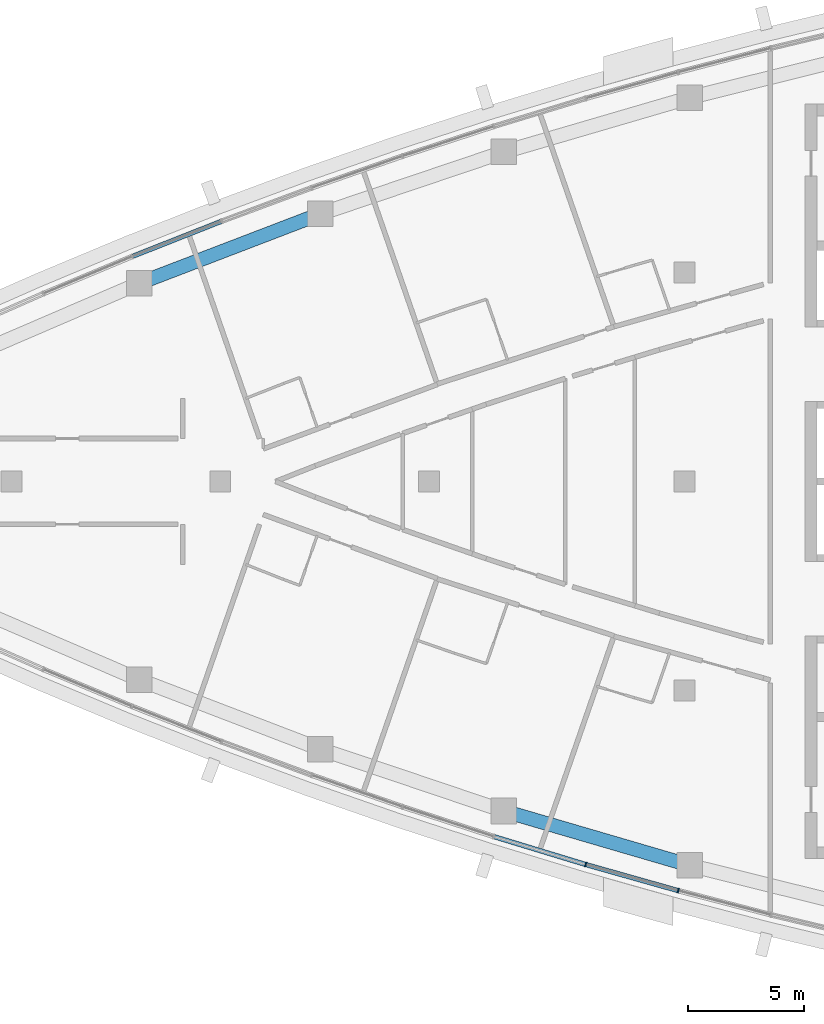
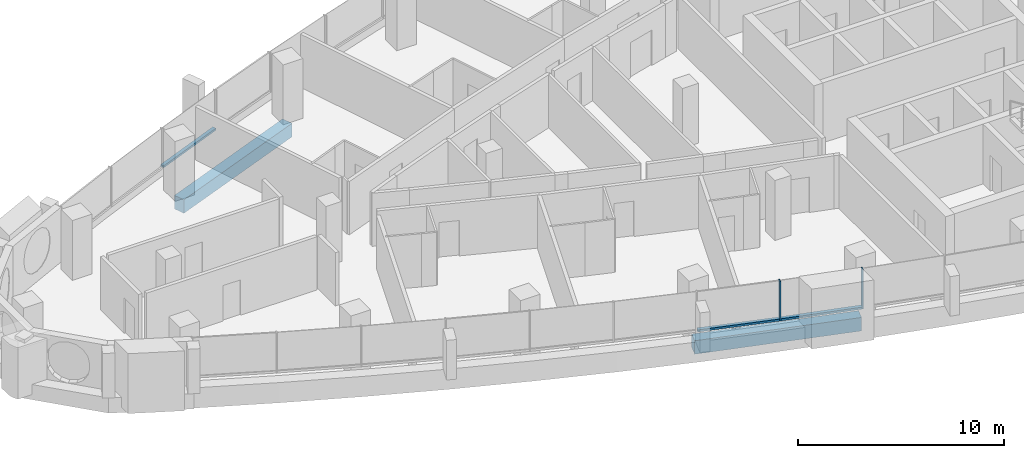
# One storey, part 3 of 14: 5 members, 2 beams, 2 elements without a shape of their own.
"""IFC4 building model written with IfcOpenShell, lengths in metres."""

import ifcopenshell
import ifcopenshell.guid

model = None  # the IFC model being written
_history = None  # IfcOwnerHistory: only IFC2X3 demands one
_inside = {}  # id of a spatial element -> (the spatial element, [elements in it])
_under = {}  # id of a project, library or spatial element -> (it, [spatial elements below it])
_declared = {}  # id of a project -> (the project, [libraries it declares])
_typed = {}  # id of a type object -> (the type object, [elements of that type])
_made_of = {}  # id of a material, layer set ... -> (it, [elements and type objects made of it])


def new_model(schema):
    """Start an empty IFC model of exactly this schema.

    Asked for "IFC4X3", IfcOpenShell would pick the latest addendum, in which some entities
    have other attributes; the version numbers below select the first issue.
    IFC2X3 requires an IfcOwnerHistory on every rooted entity: one is made here for all.
    """
    global model, _history
    if schema == "IFC4X3":
        model = ifcopenshell.file(schema_version=(4, 3, 0, 0))
    else:
        model = ifcopenshell.file(schema=schema)
    _inside.clear()
    _under.clear()
    _declared.clear()
    _typed.clear()
    _made_of.clear()
    _history = None
    if model.schema == "IFC2X3":
        org = make("IfcOrganization", Name="unknown")
        user = make(
            "IfcPersonAndOrganization",
            ThePerson=make("IfcPerson", FamilyName="unknown"),
            TheOrganization=org,
        )
        app = make(
            "IfcApplication",
            ApplicationDeveloper=org,
            Version="unknown",
            ApplicationFullName="unknown",
            ApplicationIdentifier="unknown",
        )
        _history = make(
            "IfcOwnerHistory",
            OwningUser=user,
            OwningApplication=app,
            ChangeAction="ADDED",
            CreationDate=0,
        )
    return model


def make(cls, **values):
    """One entity of the class cls with the attributes given. An attribute that is None is left unset."""
    return model.create_entity(
        cls, **{name: value for name, value in values.items() if value is not None}
    )


def rooted(cls, **values):
    """An entity with a GlobalId (a new one), such as an element, a storey or a relation."""
    return make(cls, GlobalId=ifcopenshell.guid.new(), OwnerHistory=_history, **values)


def si_unit(unit_type, name, prefix=None):
    """IfcSIUnit, for example si_unit("LENGTHUNIT", "METRE", prefix="MILLI")."""
    return make("IfcSIUnit", UnitType=unit_type, Prefix=prefix, Name=name)


def assignment(units):
    """IfcUnitAssignment: the units of a project."""
    return None if units is None else make("IfcUnitAssignment", Units=units)


def point(xyz):
    """IfcCartesianPoint."""
    return None if xyz is None else make("IfcCartesianPoint", Coordinates=xyz)


def direction(xyz):
    """IfcDirection."""
    return None if xyz is None else make("IfcDirection", DirectionRatios=xyz)


def frame(location, z_axis=None, x_axis=None):
    """IfcAxis2Placement3D, a coordinate frame: its origin and axes. An axis left out is left unset."""
    return make(
        "IfcAxis2Placement3D",
        Location=point(location),
        Axis=direction(z_axis),
        RefDirection=direction(x_axis),
    )


def frame_2d(location, x_axis=None):
    """IfcAxis2Placement2D, a coordinate frame in the plane: its origin and x axis."""
    return make(
        "IfcAxis2Placement2D", Location=point(location), RefDirection=direction(x_axis)
    )


def origin():
    """The frame at (0, 0, 0) with its axes left unset."""
    return frame((0.0, 0.0, 0.0))


def origin_2d():
    """The frame at (0, 0) in the plane with its x axis left unset."""
    return frame_2d((0.0, 0.0))


def place(relative_to, where):
    """IfcLocalPlacement: puts the frame where relative to a parent placement (None: the world)."""
    return make(
        "IfcLocalPlacement", PlacementRelTo=relative_to, RelativePlacement=where
    )


def context(
    kind, dimensions, precision=None, world=None, true_north=None, identifier=None
):
    """IfcGeometricRepresentationContext, for example the 3D "Model" context."""
    return make(
        "IfcGeometricRepresentationContext",
        ContextIdentifier=identifier,
        ContextType=kind,
        CoordinateSpaceDimension=dimensions,
        Precision=precision,
        WorldCoordinateSystem=world,
        TrueNorth=true_north,
    )


def subcontext(parent, identifier, kind, view, scale=None):
    """IfcGeometricRepresentationSubContext, for example "Body" below "Model"."""
    return make(
        "IfcGeometricRepresentationSubContext",
        ContextIdentifier=identifier,
        ContextType=kind,
        ParentContext=parent,
        TargetScale=scale,
        TargetView=view,
    )


def project(units=None, contexts=None):
    """IfcProject with its units and contexts."""
    return rooted(
        "IfcProject",
        Name="project",
        RepresentationContexts=contexts,
        UnitsInContext=assignment(units),
    )


def spatial(cls, under=None, at=None, **own):
    """A site, building, storey or space (cls), placed at a placement, below another one or the project."""
    s = rooted(cls, ObjectPlacement=at, **own)
    if under is not None:
        _under.setdefault(under.id(), (under, []))[1].append(s)
    return s


def profile(cls, at=None, kind="AREA", **sizes):
    """A parametric profile (cls). Its sizes go by their IFC names, for example OverallWidth=200.0."""
    return make(cls, ProfileType=kind, Position=at, **sizes)


def rectangle(**sizes):
    """IfcRectangleProfileDef."""
    return profile("IfcRectangleProfileDef", **sizes)


def extrude(swept, where, along, depth):
    """IfcExtrudedAreaSolid: the profile swept, set in the frame where, extruded along a direction by depth."""
    return make(
        "IfcExtrudedAreaSolid",
        SweptArea=swept,
        Position=where,
        ExtrudedDirection=direction(along),
        Depth=depth,
    )


def shape(context_of_items, identifier, shape_type, items):
    """IfcShapeRepresentation: the items that make up one representation, for example the "Body"."""
    return make(
        "IfcShapeRepresentation",
        ContextOfItems=context_of_items,
        RepresentationIdentifier=identifier,
        RepresentationType=shape_type,
        Items=items,
    )


def material(Name=None, Category=None):
    """IfcMaterial."""
    return make("IfcMaterial", Name=Name, Category=Category)


def layer(
    of_material, thickness, ventilated=None, Name=None, Category=None, Priority=None
):
    """IfcMaterialLayer: one layer of a wall or slab, of a material (None: an air gap)."""
    return make(
        "IfcMaterialLayer",
        Material=of_material,
        LayerThickness=thickness,
        IsVentilated=ventilated,
        Name=Name,
        Category=Category,
        Priority=Priority,
    )


def layer_set(layers, Name=None):
    """IfcMaterialLayerSet."""
    return make("IfcMaterialLayerSet", MaterialLayers=layers, LayerSetName=Name)


def material_profile(
    of_material, cross_section, Name=None, Category=None, Priority=None
):
    """IfcMaterialProfile: a cross section and its material."""
    return make(
        "IfcMaterialProfile",
        Name=Name,
        Material=of_material,
        Profile=cross_section,
        Priority=Priority,
        Category=Category,
    )


def profile_set(profiles, Name=None, composite=None):
    """IfcMaterialProfileSet."""
    return make(
        "IfcMaterialProfileSet",
        Name=Name,
        MaterialProfiles=profiles,
        CompositeProfile=composite,
    )


def made_of(thing, what):
    """Note that an element or type object is made of a material, layer set ...; save() writes the relation."""
    if what is not None:
        _made_of.setdefault(what.id(), (what, []))[1].append(thing)
    return thing


def type_object(cls, material=None, **own):
    """A type object (cls), such as IfcWallType, which elements share."""
    return made_of(rooted(cls, **own), material)


def element(
    cls,
    number,
    at=None,
    inside=None,
    cuts=None,
    type_object=None,
    material=None,
    context=None,
    identifier="Body",
    shape_type=None,
    held_by="IfcProductDefinitionShape",
    body=None,
    shapes=None,
    **own,
):
    """One element of the class cls, such as IfcWall. Its Tag is "e" and its number.

    at: its placement. inside: the storey or other place that contains it. cuts: it is an
    opening in that element (IfcRelVoidsElement). A single representation is given by context,
    identifier, shape_type and body (its items); several are given by shapes. held_by: the class
    of the entity that holds the representations. save() writes the other relations.
    """
    e = rooted(cls, Tag="e%d" % number, ObjectPlacement=at, **own)
    if body is not None:
        shapes = [shape(context, identifier, shape_type, body)]
    if shapes is not None:
        e.Representation = make(held_by, Representations=shapes)
    if inside is not None:
        _inside.setdefault(inside.id(), (inside, []))[1].append(e)
    if cuts is not None:
        rooted(
            "IfcRelVoidsElement", RelatingBuildingElement=cuts, RelatedOpeningElement=e
        )
    if type_object is not None:
        _typed.setdefault(type_object.id(), (type_object, []))[1].append(e)
    return made_of(e, material)


def aggregate(whole, parts):
    """IfcRelAggregates: a whole, such as a stair, and the parts it consists of."""
    return rooted("IfcRelAggregates", RelatingObject=whole, RelatedObjects=parts)


def save(model, path):
    """Write the relations noted so far, then the file.

    IfcRelAggregates (storeys below a building ...), IfcRelContainedInSpatialStructure (elements
    in a storey), IfcRelDefinesByType, IfcRelAssociatesMaterial and IfcRelDeclares: one each for
    every whole, place, type object, material and project.
    """
    for whole, parts in _under.values():
        aggregate(whole, parts)
    for where, things in _inside.values():
        rooted(
            "IfcRelContainedInSpatialStructure",
            RelatedElements=things,
            RelatingStructure=where,
        )
    for kind, things in _typed.values():
        rooted("IfcRelDefinesByType", RelatedObjects=things, RelatingType=kind)
    for what, things in _made_of.values():
        rooted("IfcRelAssociatesMaterial", RelatedObjects=things, RelatingMaterial=what)
    for by, libraries in _declared.values():
        rooted("IfcRelDeclares", RelatingContext=by, RelatedDefinitions=libraries)
    model.write(path)


model = new_model("IFC4")

# Units and contexts
model_context = context("Model", 3, precision=1e-05, world=origin(), true_north=direction((0.0, 1.0)))
body_context = subcontext(model_context, "Body", "Model", "MODEL_VIEW")
ifc_project = project(units=[si_unit("LENGTHUNIT", "METRE"), si_unit("AREAUNIT", "SQUARE_METRE"), si_unit("VOLUMEUNIT", "CUBIC_METRE"), si_unit("PLANEANGLEUNIT", "RADIAN"), si_unit("MASSUNIT", "GRAM", prefix="KILO")], contexts=[model_context])

# Site, building, storey
site_placement = place(None, origin())
site = spatial("IfcSite", under=ifc_project, at=site_placement, CompositionType="ELEMENT")
building_placement = place(site_placement, origin())
building = spatial("IfcBuilding", under=site, at=building_placement, Name="Ostrand Prow Hotel Tower", CompositionType="ELEMENT")
storey_placement = place(building_placement, frame((0.0, 0.0, 299.85009765625)))
storey = spatial("IfcBuildingStorey", under=building, at=storey_placement, Name="L76", CompositionType="ELEMENT", Elevation=299.85009765625)

# Beams
ifc_material_1 = material(Name="Concrete C50/60", Category="concrete")
ifc_material_profile_1 = material_profile(ifc_material_1, rectangle(XDim=0.60009765625, YDim=0.800048828125, at=origin_2d()), Name="RC 600x800")
ifc_profile_set_1 = profile_set([ifc_material_profile_1], Name="Concrete C50/60")
beam_type = type_object("IfcBeamType", Name="Edge beam 600x800 C50/60", PredefinedType="SPANDREL", material=ifc_profile_set_1)
for number, where, z_axis, x_axis, name in (
    (1, (37.22119140625, -14.19580078125, -0.7001953125), (0.959821966031, -0.280609681809, 0.0), (0.280609681809, 0.959821966031, 0.0), "Edge beam S4-S5"),
    (2, (29.31005859375, 11.528076171875, -0.7001953125), (-0.933761753797, -0.357895218111, 0.0), (0.357895218111, -0.933761753797, 0.0), "Edge beam N4-N5"),
):
    element("IfcBeam", number, at=place(storey_placement, frame(where, z_axis=z_axis, x_axis=x_axis)), inside=storey, type_object=beam_type, Name=name, PredefinedType="SPANDREL", context=body_context, shape_type="SweptSolid", body=[
        extrude(rectangle(XDim=0.60009765625, YDim=0.800048828125, at=origin_2d()), origin(), (0.0, 0.0, 1.0), 8.348876953125),
    ])

# Curtain wall, members
ifc_material_2 = material(Name="Insulated glass in bronze anodised frame", Category="glass")
ifc_layer = layer(ifc_material_2, 0.199951171875)
ifc_layer_set = layer_set([ifc_layer], Name="Insulated glass in bronze anodised frame")
curtain_wall_type = type_object("IfcCurtainWallType", Name="Strip curtain wall, fritted glass over bronze spandrel", PredefinedType="NOTDEFINED", material=ifc_layer_set)
curtain_wall_1_placement = place(storey_placement, origin())
curtain_wall_1 = element("IfcCurtainWall", 3, at=curtain_wall_1_placement, inside=storey, type_object=curtain_wall_type, Name="CW1 run CWS4", PredefinedType="NOTDEFINED")
ifc_material_3 = material(Name="Bronze anodised aluminium", Category="aluminium")
ifc_material_profile_2 = material_profile(ifc_material_3, rectangle(XDim=0.199951171875, YDim=0.06005859375, at=origin_2d()), Name="Mullion 60x200 bronze anodised aluminium")
ifc_profile_set_2 = profile_set([ifc_material_profile_2], Name="Bronze anodised aluminium")
member_type_1 = type_object("IfcMemberType", Name="Mullion 60x200 bronze anodised aluminium", PredefinedType="MULLION", material=ifc_profile_set_2)
member_1_placement = place(storey_placement, frame((40.744384765625, -16.502197265625, 0.89990234375), z_axis=(0.0, 0.0, 1.0), x_axis=(0.271648738865, 0.962396468548, 0.0)))
member_1 = element("IfcMember", 4, at=member_1_placement, type_object=member_type_1, Name="CW1 mullion 2", PredefinedType="MULLION", context=body_context, shape_type="SweptSolid", body=[
    extrude(rectangle(XDim=0.199951171875, YDim=0.06005859375, at=origin_2d()), origin(), (0.0, 0.0, 1.0), 2.35009765625),
])
member_2_placement = place(storey_placement, frame((44.728515625, -17.626708984375, 0.89990234375), z_axis=(0.0, 0.0, 1.0), x_axis=(0.271648738865, 0.962396468548, 0.0)))
member_2 = element("IfcMember", 5, at=member_2_placement, type_object=member_type_1, Name="CW1 mullion 3", PredefinedType="MULLION", context=body_context, shape_type="SweptSolid", body=[
    extrude(rectangle(XDim=0.199951171875, YDim=0.06005859375, at=origin_2d()), origin(), (0.0, 0.0, 1.0), 2.35009765625),
])
ifc_material_4 = material(Name="Bronze anodised aluminium", Category="aluminium")
ifc_material_profile_3 = material_profile(ifc_material_4, rectangle(XDim=0.199951171875, YDim=0.1201171875, at=origin_2d()), Name="Transom 120x200 bronze anodised aluminium")
ifc_profile_set_3 = profile_set([ifc_material_profile_3], Name="Bronze anodised aluminium")
member_type_2 = type_object("IfcMemberType", Name="Transom 120x200 bronze anodised aluminium", PredefinedType="USERDEFINED", material=ifc_profile_set_3)
member_3_placement = place(storey_placement, frame((36.8125, -15.306396484375, 0.9599609375), z_axis=(0.956739081124, -0.290947298751, 0.0), x_axis=(0.290947298751, 0.956739081124, 0.0)))
member_3 = element("IfcMember", 6, at=member_3_placement, type_object=member_type_2, Name="CW1 transom 1.1", ObjectType="TRANSOM", PredefinedType="USERDEFINED", context=body_context, shape_type="SweptSolid", body=[
    extrude(rectangle(XDim=0.199951171875, YDim=0.1201171875, at=origin_2d()), origin(), (0.0, 0.0, 1.0), 4.079833984375),
])
member_4_placement = place(storey_placement, frame((40.7734375, -16.51025390625, 0.9599609375), z_axis=(0.962386308628, -0.271684730828, 0.0), x_axis=(0.271684730828, 0.962386308628, 0.0)))
member_4 = element("IfcMember", 7, at=member_4_placement, type_object=member_type_2, Name="CW1 transom 2.1", ObjectType="TRANSOM", PredefinedType="USERDEFINED", context=body_context, shape_type="SweptSolid", body=[
    extrude(rectangle(XDim=0.199951171875, YDim=0.1201171875, at=origin_2d()), origin(), (0.0, 0.0, 1.0), 4.079833984375),
])
aggregate(curtain_wall_1, [member_1, member_2, member_3, member_4])

# Curtain wall, member
curtain_wall_2_placement = place(storey_placement, origin())
curtain_wall_2 = element("IfcCurtainWall", 8, at=curtain_wall_2_placement, inside=storey, type_object=curtain_wall_type, Name="CW1 run CWN4", PredefinedType="NOTDEFINED")
member_5_placement = place(storey_placement, frame((25.0302734375, 11.19921875, 0.9599609375), z_axis=(-0.930289613186, -0.366825892759, 0.0), x_axis=(0.366825892759, -0.930289613186, 0.0)))
member_5 = element("IfcMember", 9, at=member_5_placement, type_object=member_type_2, Name="CW1 transom 2.1", ObjectType="TRANSOM", PredefinedType="USERDEFINED", context=body_context, shape_type="SweptSolid", body=[
    extrude(rectangle(XDim=0.199951171875, YDim=0.1201171875, at=origin_2d()), origin(), (0.0, 0.0, 1.0), 4.079833984375),
])
aggregate(curtain_wall_2, [member_5])

save(model, "model.ifc")
